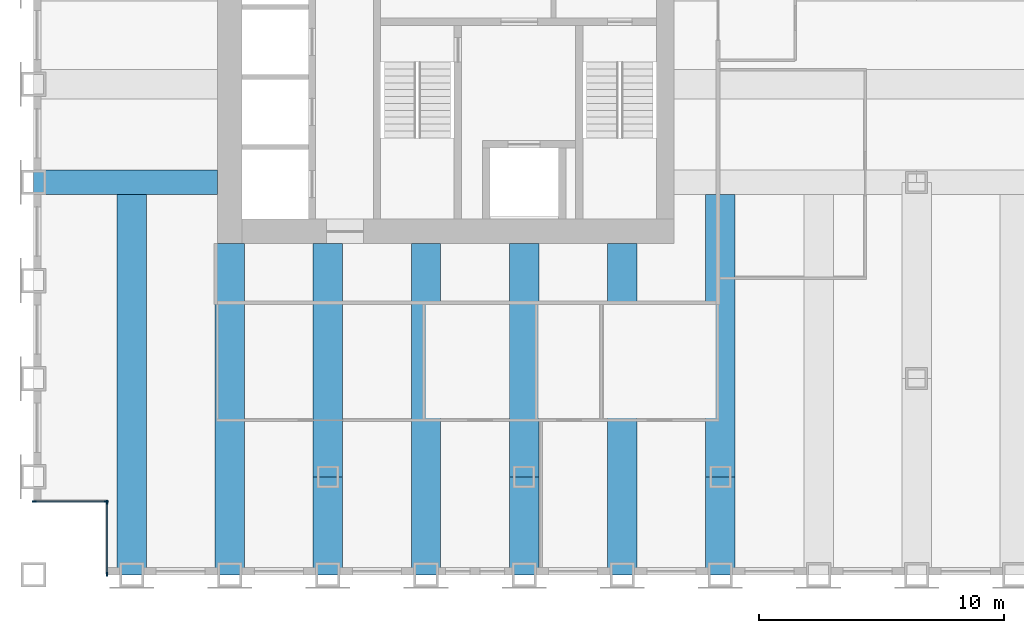
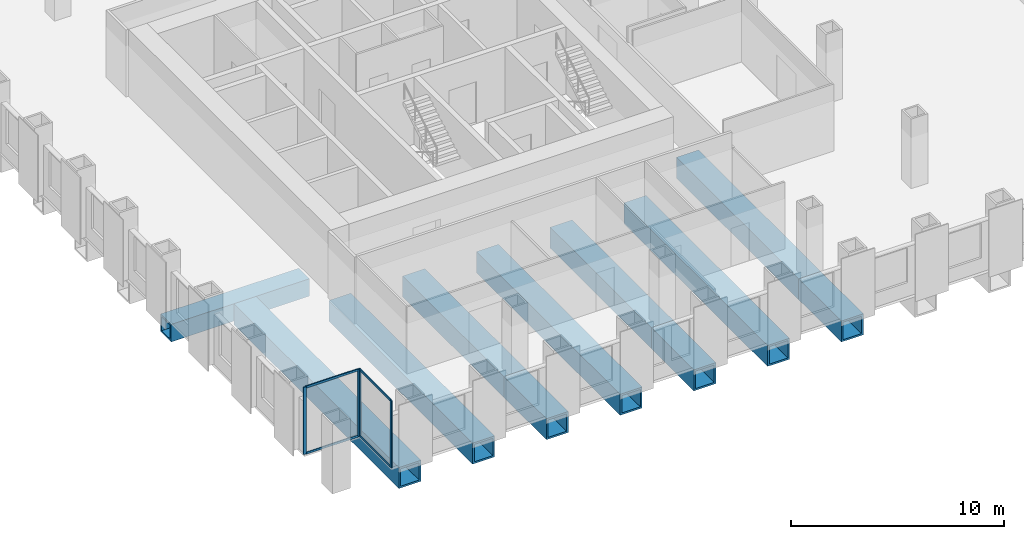
# One storey, part 2 of 14: 11 beams, 8 members, 2 elements without a shape of their own.
"""IFC4 building model written with IfcOpenShell, lengths in metres."""

import ifcopenshell
import ifcopenshell.guid

model = None  # the IFC model being written
_history = None  # IfcOwnerHistory: only IFC2X3 demands one
_inside = {}  # id of a spatial element -> (the spatial element, [elements in it])
_under = {}  # id of a project, library or spatial element -> (it, [spatial elements below it])
_declared = {}  # id of a project -> (the project, [libraries it declares])
_typed = {}  # id of a type object -> (the type object, [elements of that type])
_made_of = {}  # id of a material, layer set ... -> (it, [elements and type objects made of it])


def new_model(schema):
    """Start an empty IFC model of exactly this schema.

    Asked for "IFC4X3", IfcOpenShell would pick the latest addendum, in which some entities
    have other attributes; the version numbers below select the first issue.
    IFC2X3 requires an IfcOwnerHistory on every rooted entity: one is made here for all.
    """
    global model, _history
    if schema == "IFC4X3":
        model = ifcopenshell.file(schema_version=(4, 3, 0, 0))
    else:
        model = ifcopenshell.file(schema=schema)
    _inside.clear()
    _under.clear()
    _declared.clear()
    _typed.clear()
    _made_of.clear()
    _history = None
    if model.schema == "IFC2X3":
        org = make("IfcOrganization", Name="unknown")
        user = make(
            "IfcPersonAndOrganization",
            ThePerson=make("IfcPerson", FamilyName="unknown"),
            TheOrganization=org,
        )
        app = make(
            "IfcApplication",
            ApplicationDeveloper=org,
            Version="unknown",
            ApplicationFullName="unknown",
            ApplicationIdentifier="unknown",
        )
        _history = make(
            "IfcOwnerHistory",
            OwningUser=user,
            OwningApplication=app,
            ChangeAction="ADDED",
            CreationDate=0,
        )
    return model


def make(cls, **values):
    """One entity of the class cls with the attributes given. An attribute that is None is left unset."""
    return model.create_entity(
        cls, **{name: value for name, value in values.items() if value is not None}
    )


def rooted(cls, **values):
    """An entity with a GlobalId (a new one), such as an element, a storey or a relation."""
    return make(cls, GlobalId=ifcopenshell.guid.new(), OwnerHistory=_history, **values)


def si_unit(unit_type, name, prefix=None):
    """IfcSIUnit, for example si_unit("LENGTHUNIT", "METRE", prefix="MILLI")."""
    return make("IfcSIUnit", UnitType=unit_type, Prefix=prefix, Name=name)


def assignment(units):
    """IfcUnitAssignment: the units of a project."""
    return None if units is None else make("IfcUnitAssignment", Units=units)


def point(xyz):
    """IfcCartesianPoint."""
    return None if xyz is None else make("IfcCartesianPoint", Coordinates=xyz)


def direction(xyz):
    """IfcDirection."""
    return None if xyz is None else make("IfcDirection", DirectionRatios=xyz)


def frame(location, z_axis=None, x_axis=None):
    """IfcAxis2Placement3D, a coordinate frame: its origin and axes. An axis left out is left unset."""
    return make(
        "IfcAxis2Placement3D",
        Location=point(location),
        Axis=direction(z_axis),
        RefDirection=direction(x_axis),
    )


def frame_2d(location, x_axis=None):
    """IfcAxis2Placement2D, a coordinate frame in the plane: its origin and x axis."""
    return make(
        "IfcAxis2Placement2D", Location=point(location), RefDirection=direction(x_axis)
    )


def origin():
    """The frame at (0, 0, 0) with its axes left unset."""
    return frame((0.0, 0.0, 0.0))


def origin_2d():
    """The frame at (0, 0) in the plane with its x axis left unset."""
    return frame_2d((0.0, 0.0))


def place(relative_to, where):
    """IfcLocalPlacement: puts the frame where relative to a parent placement (None: the world)."""
    return make(
        "IfcLocalPlacement", PlacementRelTo=relative_to, RelativePlacement=where
    )


def context(
    kind, dimensions, precision=None, world=None, true_north=None, identifier=None
):
    """IfcGeometricRepresentationContext, for example the 3D "Model" context."""
    return make(
        "IfcGeometricRepresentationContext",
        ContextIdentifier=identifier,
        ContextType=kind,
        CoordinateSpaceDimension=dimensions,
        Precision=precision,
        WorldCoordinateSystem=world,
        TrueNorth=true_north,
    )


def subcontext(parent, identifier, kind, view, scale=None):
    """IfcGeometricRepresentationSubContext, for example "Body" below "Model"."""
    return make(
        "IfcGeometricRepresentationSubContext",
        ContextIdentifier=identifier,
        ContextType=kind,
        ParentContext=parent,
        TargetScale=scale,
        TargetView=view,
    )


def project(units=None, contexts=None):
    """IfcProject with its units and contexts."""
    return rooted(
        "IfcProject",
        Name="project",
        RepresentationContexts=contexts,
        UnitsInContext=assignment(units),
    )


def spatial(cls, under=None, at=None, **own):
    """A site, building, storey or space (cls), placed at a placement, below another one or the project."""
    s = rooted(cls, ObjectPlacement=at, **own)
    if under is not None:
        _under.setdefault(under.id(), (under, []))[1].append(s)
    return s


def profile(cls, at=None, kind="AREA", **sizes):
    """A parametric profile (cls). Its sizes go by their IFC names, for example OverallWidth=200.0."""
    return make(cls, ProfileType=kind, Position=at, **sizes)


def rectangle(**sizes):
    """IfcRectangleProfileDef."""
    return profile("IfcRectangleProfileDef", **sizes)


def hollow_rectangle(**sizes):
    """IfcRectangleHollowProfileDef."""
    return profile("IfcRectangleHollowProfileDef", **sizes)


def extrude(swept, where, along, depth):
    """IfcExtrudedAreaSolid: the profile swept, set in the frame where, extruded along a direction by depth."""
    return make(
        "IfcExtrudedAreaSolid",
        SweptArea=swept,
        Position=where,
        ExtrudedDirection=direction(along),
        Depth=depth,
    )


def shape(context_of_items, identifier, shape_type, items):
    """IfcShapeRepresentation: the items that make up one representation, for example the "Body"."""
    return make(
        "IfcShapeRepresentation",
        ContextOfItems=context_of_items,
        RepresentationIdentifier=identifier,
        RepresentationType=shape_type,
        Items=items,
    )


def material(Name=None, Category=None):
    """IfcMaterial."""
    return make("IfcMaterial", Name=Name, Category=Category)


def material_profile(
    of_material, cross_section, Name=None, Category=None, Priority=None
):
    """IfcMaterialProfile: a cross section and its material."""
    return make(
        "IfcMaterialProfile",
        Name=Name,
        Material=of_material,
        Profile=cross_section,
        Priority=Priority,
        Category=Category,
    )


def profile_set(profiles, Name=None, composite=None):
    """IfcMaterialProfileSet."""
    return make(
        "IfcMaterialProfileSet",
        Name=Name,
        MaterialProfiles=profiles,
        CompositeProfile=composite,
    )


def made_of(thing, what):
    """Note that an element or type object is made of a material, layer set ...; save() writes the relation."""
    if what is not None:
        _made_of.setdefault(what.id(), (what, []))[1].append(thing)
    return thing


def type_object(cls, material=None, **own):
    """A type object (cls), such as IfcWallType, which elements share."""
    return made_of(rooted(cls, **own), material)


def element(
    cls,
    number,
    at=None,
    inside=None,
    cuts=None,
    type_object=None,
    material=None,
    context=None,
    identifier="Body",
    shape_type=None,
    held_by="IfcProductDefinitionShape",
    body=None,
    shapes=None,
    **own,
):
    """One element of the class cls, such as IfcWall. Its Tag is "e" and its number.

    at: its placement. inside: the storey or other place that contains it. cuts: it is an
    opening in that element (IfcRelVoidsElement). A single representation is given by context,
    identifier, shape_type and body (its items); several are given by shapes. held_by: the class
    of the entity that holds the representations. save() writes the other relations.
    """
    e = rooted(cls, Tag="e%d" % number, ObjectPlacement=at, **own)
    if body is not None:
        shapes = [shape(context, identifier, shape_type, body)]
    if shapes is not None:
        e.Representation = make(held_by, Representations=shapes)
    if inside is not None:
        _inside.setdefault(inside.id(), (inside, []))[1].append(e)
    if cuts is not None:
        rooted(
            "IfcRelVoidsElement", RelatingBuildingElement=cuts, RelatedOpeningElement=e
        )
    if type_object is not None:
        _typed.setdefault(type_object.id(), (type_object, []))[1].append(e)
    return made_of(e, material)


def aggregate(whole, parts):
    """IfcRelAggregates: a whole, such as a stair, and the parts it consists of."""
    return rooted("IfcRelAggregates", RelatingObject=whole, RelatedObjects=parts)


def save(model, path):
    """Write the relations noted so far, then the file.

    IfcRelAggregates (storeys below a building ...), IfcRelContainedInSpatialStructure (elements
    in a storey), IfcRelDefinesByType, IfcRelAssociatesMaterial and IfcRelDeclares: one each for
    every whole, place, type object, material and project.
    """
    for whole, parts in _under.values():
        aggregate(whole, parts)
    for where, things in _inside.values():
        rooted(
            "IfcRelContainedInSpatialStructure",
            RelatedElements=things,
            RelatingStructure=where,
        )
    for kind, things in _typed.values():
        rooted("IfcRelDefinesByType", RelatedObjects=things, RelatingType=kind)
    for what, things in _made_of.values():
        rooted("IfcRelAssociatesMaterial", RelatedObjects=things, RelatingMaterial=what)
    for by, libraries in _declared.values():
        rooted("IfcRelDeclares", RelatingContext=by, RelatedDefinitions=libraries)
    model.write(path)


model = new_model("IFC4")

# Units and contexts
model_context = context("Model", 3, precision=1e-05, world=origin(), true_north=direction((0.0, 1.0)))
body_context = subcontext(model_context, "Body", "Model", "MODEL_VIEW")
ifc_project = project(units=[si_unit("LENGTHUNIT", "METRE"), si_unit("AREAUNIT", "SQUARE_METRE"), si_unit("VOLUMEUNIT", "CUBIC_METRE"), si_unit("PLANEANGLEUNIT", "RADIAN"), si_unit("MASSUNIT", "GRAM", prefix="KILO")], contexts=[model_context])

# Site, building, storey
site_placement = place(None, origin())
site = spatial("IfcSite", under=ifc_project, at=site_placement, CompositionType="ELEMENT")
building_placement = place(site_placement, origin())
building = spatial("IfcBuilding", under=site, at=building_placement, Name="Rimbunsela Tower", CompositionType="ELEMENT")
storey_placement = place(building_placement, frame((0.0, 0.0, 109.39990234375)))
storey = spatial("IfcBuildingStorey", under=building, at=storey_placement, Name="L26", CompositionType="ELEMENT", Elevation=109.39990234375)

# Beams
ifc_material_1 = material(Name="Steel BJ 55 (fy 410 MPa)", Category="steel")
ifc_material_profile_1 = material_profile(ifc_material_1, hollow_rectangle(XDim=1.0, YDim=1.0, WallThickness=0.10009765625, at=origin_2d()), Name="BOX 1000x1000x100")
ifc_profile_set_1 = profile_set([ifc_material_profile_1], Name="Steel BJ 55 (fy 410 MPa)")
beam_type_1 = type_object("IfcBeamType", Name="Beam BOX 1000x1000x100", PredefinedType="BEAM", material=ifc_profile_set_1)
beam_1_placement = place(storey_placement, frame((10.0, 20.0, -0.64990234375), z_axis=(1.0, 0.0, 0.0), x_axis=(0.0, 1.0, 0.0)))
element("IfcBeam", 1, at=beam_1_placement, inside=storey, type_object=beam_type_1, Name="Beam B3 L26", PredefinedType="BEAM", context=body_context, shape_type="SweptSolid", body=[
    extrude(hollow_rectangle(XDim=1.0, YDim=1.0, WallThickness=0.10009765625, at=origin_2d()), origin(), (0.0, 0.0, 1.0), 7.5),
])
ifc_material_2 = material(Name="Steel BJ 55 (fy 410 MPa)", Category="steel")
ifc_material_profile_2 = material_profile(ifc_material_2, hollow_rectangle(XDim=1.199951171875, YDim=1.199951171875, WallThickness=0.10009765625, at=origin_2d()), Name="BOX 1200x1200x100")
ifc_profile_set_2 = profile_set([ifc_material_profile_2], Name="Steel BJ 55 (fy 410 MPa)")
beam_type_2 = type_object("IfcBeamType", Name="Beam BOX 1200x1200x100", PredefinedType="BEAM", material=ifc_profile_set_2)
beam_2_placement = place(storey_placement, frame((14.0, 4.0, -0.75), z_axis=(0.0, 1.0, 0.0), x_axis=(-1.0, 0.0, 0.0)))
element("IfcBeam", 2, at=beam_2_placement, inside=storey, type_object=beam_type_2, Name="Beam B5 L26", PredefinedType="BEAM", context=body_context, shape_type="SweptSolid", body=[
    extrude(hollow_rectangle(XDim=1.199951171875, YDim=1.199951171875, WallThickness=0.10009765625, at=origin_2d()), origin(), (0.0, 0.0, 1.0), 15.5),
])
beam_3_placement = place(storey_placement, frame((18.0, 4.0, -0.75), z_axis=(0.0, 1.0, 0.0), x_axis=(-1.0, 0.0, 0.0)))
element("IfcBeam", 3, at=beam_3_placement, inside=storey, type_object=beam_type_2, Name="Beam B5 L26", PredefinedType="BEAM", context=body_context, shape_type="SweptSolid", body=[
    extrude(hollow_rectangle(XDim=1.199951171875, YDim=1.199951171875, WallThickness=0.10009765625, at=origin_2d()), origin(), (0.0, 0.0, 1.0), 13.5),
])
beam_4_placement = place(storey_placement, frame((22.0, 4.0, -0.75), z_axis=(0.0, 1.0, 0.0), x_axis=(-1.0, 0.0, 0.0)))
element("IfcBeam", 4, at=beam_4_placement, inside=storey, type_object=beam_type_2, Name="Beam B5 L26", PredefinedType="BEAM", context=body_context, shape_type="SweptSolid", body=[
    extrude(hollow_rectangle(XDim=1.199951171875, YDim=1.199951171875, WallThickness=0.10009765625, at=origin_2d()), origin(), (0.0, 0.0, 1.0), 4.0),
])
beam_5_placement = place(storey_placement, frame((22.0, 8.0, -0.75), z_axis=(0.0, 1.0, 0.0), x_axis=(-1.0, 0.0, 0.0)))
element("IfcBeam", 5, at=beam_5_placement, inside=storey, type_object=beam_type_2, Name="Beam B5 L26", PredefinedType="BEAM", context=body_context, shape_type="SweptSolid", body=[
    extrude(hollow_rectangle(XDim=1.199951171875, YDim=1.199951171875, WallThickness=0.10009765625, at=origin_2d()), origin(), (0.0, 0.0, 1.0), 9.5),
])
beam_6_placement = place(storey_placement, frame((26.0, 4.0, -0.75), z_axis=(0.0, 1.0, 0.0), x_axis=(-1.0, 0.0, 0.0)))
element("IfcBeam", 6, at=beam_6_placement, inside=storey, type_object=beam_type_2, Name="Beam B5 L26", PredefinedType="BEAM", context=body_context, shape_type="SweptSolid", body=[
    extrude(hollow_rectangle(XDim=1.199951171875, YDim=1.199951171875, WallThickness=0.10009765625, at=origin_2d()), origin(), (0.0, 0.0, 1.0), 13.5),
])
beam_7_placement = place(storey_placement, frame((30.0, 4.0, -0.75), z_axis=(0.0, 1.0, 0.0), x_axis=(-1.0, 0.0, 0.0)))
element("IfcBeam", 7, at=beam_7_placement, inside=storey, type_object=beam_type_2, Name="Beam B5 L26", PredefinedType="BEAM", context=body_context, shape_type="SweptSolid", body=[
    extrude(hollow_rectangle(XDim=1.199951171875, YDim=1.199951171875, WallThickness=0.10009765625, at=origin_2d()), origin(), (0.0, 0.0, 1.0), 4.0),
])
beam_8_placement = place(storey_placement, frame((30.0, 8.0, -0.75), z_axis=(0.0, 1.0, 0.0), x_axis=(-1.0, 0.0, 0.0)))
element("IfcBeam", 8, at=beam_8_placement, inside=storey, type_object=beam_type_2, Name="Beam B5 L26", PredefinedType="BEAM", context=body_context, shape_type="SweptSolid", body=[
    extrude(hollow_rectangle(XDim=1.199951171875, YDim=1.199951171875, WallThickness=0.10009765625, at=origin_2d()), origin(), (0.0, 0.0, 1.0), 9.5),
])
beam_9_placement = place(storey_placement, frame((34.0, 4.0, -0.75), z_axis=(0.0, 1.0, 0.0), x_axis=(-1.0, 0.0, 0.0)))
element("IfcBeam", 9, at=beam_9_placement, inside=storey, type_object=beam_type_2, Name="Beam B5 L26", PredefinedType="BEAM", context=body_context, shape_type="SweptSolid", body=[
    extrude(hollow_rectangle(XDim=1.199951171875, YDim=1.199951171875, WallThickness=0.10009765625, at=origin_2d()), origin(), (0.0, 0.0, 1.0), 13.5),
])
beam_10_placement = place(storey_placement, frame((38.0, 4.0, -0.75), z_axis=(0.0, 1.0, 0.0), x_axis=(-1.0, 0.0, 0.0)))
element("IfcBeam", 10, at=beam_10_placement, inside=storey, type_object=beam_type_2, Name="Beam B5 L26", PredefinedType="BEAM", context=body_context, shape_type="SweptSolid", body=[
    extrude(hollow_rectangle(XDim=1.199951171875, YDim=1.199951171875, WallThickness=0.10009765625, at=origin_2d()), origin(), (0.0, 0.0, 1.0), 4.0),
])
beam_11_placement = place(storey_placement, frame((38.0, 8.0, -0.75), z_axis=(0.0, 1.0, 0.0), x_axis=(-1.0, 0.0, 0.0)))
element("IfcBeam", 11, at=beam_11_placement, inside=storey, type_object=beam_type_2, Name="Beam B5 L26", PredefinedType="BEAM", context=body_context, shape_type="SweptSolid", body=[
    extrude(hollow_rectangle(XDim=1.199951171875, YDim=1.199951171875, WallThickness=0.10009765625, at=origin_2d()), origin(), (0.0, 0.0, 1.0), 11.5),
])

# Curtain wall, members
ifc_material_3 = material(Name="Aluminium curtain wall", Category="aluminium")
curtain_wall_type = type_object("IfcCurtainWallType", Name="Corner glazing", PredefinedType="USERDEFINED", material=ifc_material_3)
curtain_wall_1_placement = place(storey_placement, origin())
curtain_wall_1 = element("IfcCurtainWall", 12, at=curtain_wall_1_placement, inside=storey, type_object=curtain_wall_type, Name="Corner glazing L26", ObjectType="CORNER GLAZING", PredefinedType="USERDEFINED")
ifc_material_4 = material(Name="Aluminium mullion", Category="aluminium")
ifc_material_profile_3 = material_profile(ifc_material_4, rectangle(XDim=0.06005859375, YDim=0.159912109375, at=origin_2d()), Name="Mullion 60x160")
ifc_profile_set_3 = profile_set([ifc_material_profile_3], Name="Aluminium mullion")
member_type_1 = type_object("IfcMemberType", Name="Curtain wall mullion 60x160", PredefinedType="MULLION", material=ifc_profile_set_3)
member_1_placement = place(storey_placement, frame((10.030029296875, 7.0, 0.0), z_axis=(0.0, 0.0, 1.0), x_axis=(0.0, 1.0, 0.0)))
member_1 = element("IfcMember", 13, at=member_1_placement, type_object=member_type_1, Name="CW5 mullion 1", PredefinedType="MULLION", context=body_context, shape_type="SweptSolid", body=[
    extrude(rectangle(XDim=0.06005859375, YDim=0.159912109375, at=origin_2d()), origin(), (0.0, 0.0, 1.0), 3.85009765625),
])
member_2_placement = place(storey_placement, frame((12.969970703125, 7.0, 0.0), z_axis=(0.0, 0.0, 1.0), x_axis=(0.0, 1.0, 0.0)))
member_2 = element("IfcMember", 14, at=member_2_placement, type_object=member_type_1, Name="CW5 mullion 2", PredefinedType="MULLION", context=body_context, shape_type="SweptSolid", body=[
    extrude(rectangle(XDim=0.06005859375, YDim=0.159912109375, at=origin_2d()), origin(), (0.0, 0.0, 1.0), 3.85009765625),
])

curtain_wall_2_placement = place(storey_placement, origin())
curtain_wall_2 = element("IfcCurtainWall", 15, at=curtain_wall_2_placement, inside=storey, type_object=curtain_wall_type, Name="Corner glazing L26", ObjectType="CORNER GLAZING", PredefinedType="USERDEFINED")
member_3_placement = place(storey_placement, frame((13.0, 6.969970703125, 0.0), z_axis=(0.0, 0.0, 1.0), x_axis=(1.0, 0.0, 0.0)))
member_3 = element("IfcMember", 16, at=member_3_placement, type_object=member_type_1, Name="CW5 mullion 1", PredefinedType="MULLION", context=body_context, shape_type="SweptSolid", body=[
    extrude(rectangle(XDim=0.06005859375, YDim=0.159912109375, at=origin_2d()), origin(), (0.0, 0.0, 1.0), 3.85009765625),
])
member_4_placement = place(storey_placement, frame((13.0, 4.030029296875, 0.0), z_axis=(0.0, 0.0, 1.0), x_axis=(1.0, 0.0, 0.0)))
member_4 = element("IfcMember", 17, at=member_4_placement, type_object=member_type_1, Name="CW5 mullion 2", PredefinedType="MULLION", context=body_context, shape_type="SweptSolid", body=[
    extrude(rectangle(XDim=0.06005859375, YDim=0.159912109375, at=origin_2d()), origin(), (0.0, 0.0, 1.0), 3.85009765625),
])

# Member
ifc_material_5 = material(Name="Aluminium transom", Category="aluminium")
ifc_material_profile_4 = material_profile(ifc_material_5, rectangle(XDim=0.06005859375, YDim=0.1201171875, at=origin_2d()), Name="Transom 60x120")
ifc_profile_set_4 = profile_set([ifc_material_profile_4], Name="Aluminium transom")
member_type_2 = type_object("IfcMemberType", Name="Curtain wall transom 60x120", PredefinedType="USERDEFINED", material=ifc_profile_set_4)
member_5_placement = place(storey_placement, frame((10.06005859375, 7.0, 0.030029296875), z_axis=(1.0, 0.0, 0.0), x_axis=(0.0, 1.0, 0.0)))
member_5 = element("IfcMember", 18, at=member_5_placement, type_object=member_type_2, Name="CW5 transom 1.1", ObjectType="TRANSOM", PredefinedType="USERDEFINED", context=body_context, shape_type="SweptSolid", body=[
    extrude(rectangle(XDim=0.06005859375, YDim=0.1201171875, at=origin_2d()), origin(), (0.0, 0.0, 1.0), 2.8798828125),
])

member_6_placement = place(storey_placement, frame((10.06005859375, 7.0, 3.820068359375), z_axis=(1.0, 0.0, 0.0), x_axis=(0.0, 1.0, 0.0)))
member_6 = element("IfcMember", 19, at=member_6_placement, type_object=member_type_2, Name="CW5 transom 1.2", ObjectType="TRANSOM", PredefinedType="USERDEFINED", context=body_context, shape_type="SweptSolid", body=[
    extrude(rectangle(XDim=0.06005859375, YDim=0.1201171875, at=origin_2d()), origin(), (0.0, 0.0, 1.0), 2.8798828125),
])

aggregate(curtain_wall_1, [member_1, member_2, member_5, member_6])

member_7_placement = place(storey_placement, frame((13.0, 6.93994140625, 0.030029296875), z_axis=(0.0, -1.0, 0.0), x_axis=(1.0, 0.0, 0.0)))
member_7 = element("IfcMember", 20, at=member_7_placement, type_object=member_type_2, Name="CW5 transom 1.1", ObjectType="TRANSOM", PredefinedType="USERDEFINED", context=body_context, shape_type="SweptSolid", body=[
    extrude(rectangle(XDim=0.06005859375, YDim=0.1201171875, at=origin_2d()), origin(), (0.0, 0.0, 1.0), 2.8798828125),
])

member_8_placement = place(storey_placement, frame((13.0, 6.93994140625, 3.820068359375), z_axis=(0.0, -1.0, 0.0), x_axis=(1.0, 0.0, 0.0)))
member_8 = element("IfcMember", 21, at=member_8_placement, type_object=member_type_2, Name="CW5 transom 1.2", ObjectType="TRANSOM", PredefinedType="USERDEFINED", context=body_context, shape_type="SweptSolid", body=[
    extrude(rectangle(XDim=0.06005859375, YDim=0.1201171875, at=origin_2d()), origin(), (0.0, 0.0, 1.0), 2.8798828125),
])

aggregate(curtain_wall_2, [member_3, member_4, member_7, member_8])

save(model, "model.ifc")
